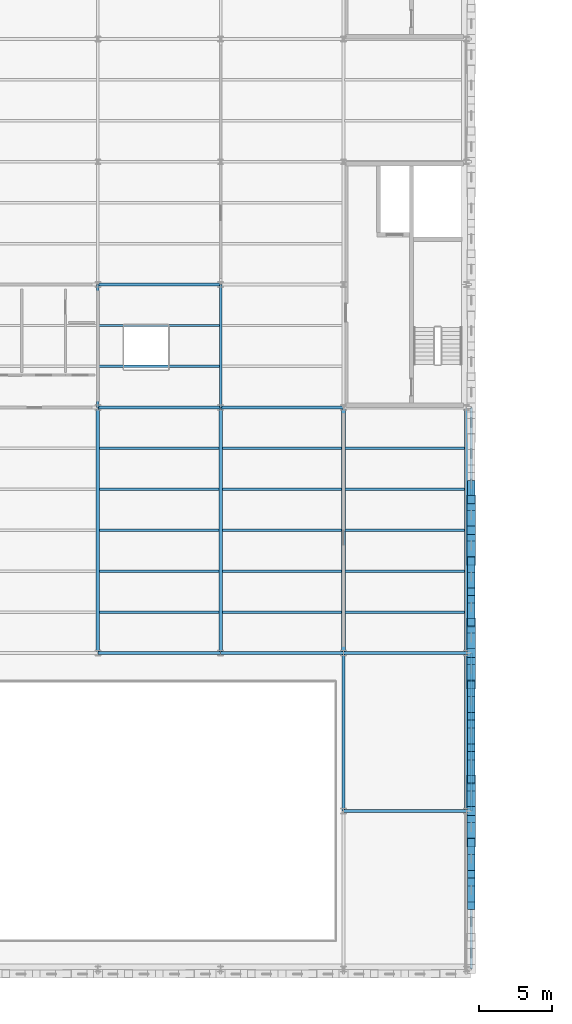
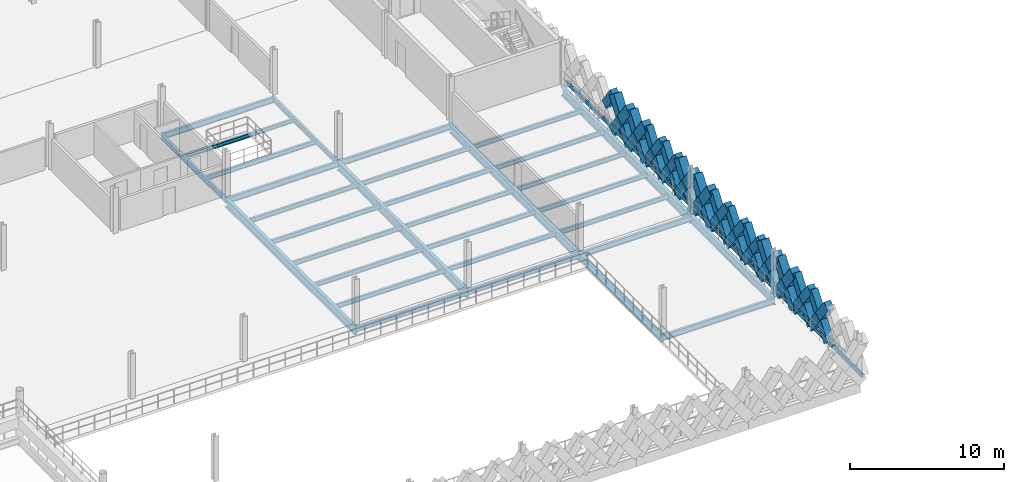
# One storey, part 20 of 62: 43 members, 32 beams.
"""IFC4 building model written with IfcOpenShell, lengths in metres."""

from ifc_helpers import new_model, si_unit, direction, frame, origin, origin_2d, place, context, subcontext, project, spatial, rectangle, hollow_rectangle, i_section, extrude, material, material_profile, profile_set, type_object, element, save


model = new_model("IFC4")

# Units and contexts
model_context = context("Model", 3, precision=1e-05, world=origin(), true_north=direction((0.0, 1.0)))
body_context = subcontext(model_context, "Body", "Model", "MODEL_VIEW")
ifc_project = project(units=[si_unit("LENGTHUNIT", "METRE"), si_unit("AREAUNIT", "SQUARE_METRE"), si_unit("VOLUMEUNIT", "CUBIC_METRE"), si_unit("PLANEANGLEUNIT", "RADIAN"), si_unit("MASSUNIT", "GRAM", prefix="KILO"), si_unit("THERMODYNAMICTEMPERATUREUNIT", "KELVIN"), si_unit("POWERUNIT", "WATT")], contexts=[model_context])

# Site, building, storey
site_placement = place(None, origin())
site = spatial("IfcSite", under=ifc_project, at=site_placement, CompositionType="ELEMENT")
building_placement = place(site_placement, origin())
building = spatial("IfcBuilding", under=site, at=building_placement, Name="Tembeka Court Mobility Hub", CompositionType="ELEMENT")
storey_placement = place(building_placement, frame((0.0, 0.0, 16.199951171875)))
storey = spatial("IfcBuildingStorey", under=building, at=storey_placement, Name="L04", CompositionType="ELEMENT", Elevation=16.199951171875)

# Beams
ifc_material_1 = material(Name="Steel S355", Category="steel")
ifc_material_profile_1 = material_profile(ifc_material_1, i_section(OverallWidth=0.18994140625, OverallDepth=0.45703125, WebThickness=0.009033203125, FlangeThickness=0.014404296875, FilletRadius=0.01025390625, at=origin_2d()), Name="UKB 457x191x74")
ifc_profile_set_1 = profile_set([ifc_material_profile_1], Name="Steel S355")
beam_type_1 = type_object("IfcBeamType", Name="BM-B01", PredefinedType="BEAM", material=ifc_profile_set_1)
beam_1_placement = place(storey_placement, frame((84.0, 10.800048828125, -0.448486328125), z_axis=(1.0, 0.0, 0.0), x_axis=(0.0, 1.0, 0.0)))
element("IfcBeam", 1, at=beam_1_placement, inside=storey, type_object=beam_type_1, Name="Beam B01 (BM-L04-X2201)", PredefinedType="BEAM", context=body_context, shape_type="SweptSolid", body=[
    extrude(i_section(OverallWidth=0.18994140625, OverallDepth=0.45703125, WebThickness=0.009033203125, FlangeThickness=0.014404296875, FilletRadius=0.01025390625, at=origin_2d()), origin(), (0.0, 0.0, 1.0), 8.39990234375),
])
beam_2_placement = place(storey_placement, frame((67.199951171875, 21.60009765625, -0.448486328125), z_axis=(1.0, 0.0, 0.0), x_axis=(0.0, 1.0, 0.0)))
element("IfcBeam", 2, at=beam_2_placement, inside=storey, type_object=beam_type_1, Name="Beam B01 (BM-L04-X2214)", PredefinedType="BEAM", context=body_context, shape_type="SweptSolid", body=[
    extrude(i_section(OverallWidth=0.18994140625, OverallDepth=0.45703125, WebThickness=0.009033203125, FlangeThickness=0.014404296875, FilletRadius=0.01025390625, at=origin_2d()), origin(), (0.0, 0.0, 1.0), 8.400146484375),
])
for number, where, z_axis, x_axis, name in (
    (3, (75.60009765625, 21.60009765625, -0.448486328125), (1.0, 0.0, 0.0), (0.0, 1.0, 0.0), "Beam B01 (BM-L04-X2215)"),
    (4, (84.0, 21.60009765625, -0.448486328125), (1.0, 0.0, 0.0), (0.0, 1.0, 0.0), "Beam B01 (BM-L04-X2216)"),
):
    element("IfcBeam", number, at=place(storey_placement, frame(where, z_axis=z_axis, x_axis=x_axis)), inside=storey, type_object=beam_type_1, Name=name, PredefinedType="BEAM", context=body_context, shape_type="SweptSolid", body=[
        extrude(i_section(OverallWidth=0.18994140625, OverallDepth=0.45703125, WebThickness=0.009033203125, FlangeThickness=0.014404296875, FilletRadius=0.01025390625, at=origin_2d()), origin(), (0.0, 0.0, 1.0), 8.39990234375),
    ])
beam_3_placement = place(storey_placement, frame((67.199951171875, 38.39990234375, -0.448486328125), z_axis=(1.0, 0.0, 0.0), x_axis=(0.0, 1.0, 0.0)))
element("IfcBeam", 5, at=beam_3_placement, inside=storey, type_object=beam_type_1, Name="Beam B01 (BM-L04-X2229)", PredefinedType="BEAM", context=body_context, shape_type="SweptSolid", body=[
    extrude(i_section(OverallWidth=0.18994140625, OverallDepth=0.45703125, WebThickness=0.009033203125, FlangeThickness=0.014404296875, FilletRadius=0.01025390625, at=origin_2d()), origin(), (0.0, 0.0, 1.0), 8.400146484375),
])
beam_4_placement = place(storey_placement, frame((75.60009765625, 38.39990234375, -0.448486328125), z_axis=(1.0, 0.0, 0.0), x_axis=(0.0, 1.0, 0.0)))
element("IfcBeam", 6, at=beam_4_placement, inside=storey, type_object=beam_type_1, Name="Beam B01 (BM-L04-X2230)", PredefinedType="BEAM", context=body_context, shape_type="SweptSolid", body=[
    extrude(i_section(OverallWidth=0.18994140625, OverallDepth=0.45703125, WebThickness=0.009033203125, FlangeThickness=0.014404296875, FilletRadius=0.01025390625, at=origin_2d()), origin(), (0.0, 0.0, 1.0), 8.39990234375),
])
beam_5_placement = place(storey_placement, frame((67.199951171875, 46.800048828125, -0.448486328125), z_axis=(1.0, 0.0, 0.0), x_axis=(0.0, 1.0, 0.0)))
element("IfcBeam", 7, at=beam_5_placement, inside=storey, type_object=beam_type_1, Name="Beam B01 (BM-L04-X2241)", PredefinedType="BEAM", context=body_context, shape_type="SweptSolid", body=[
    extrude(i_section(OverallWidth=0.18994140625, OverallDepth=0.45703125, WebThickness=0.009033203125, FlangeThickness=0.014404296875, FilletRadius=0.01025390625, at=origin_2d()), origin(), (0.0, 0.0, 1.0), 8.400146484375),
])
ifc_material_profile_2 = material_profile(ifc_material_1, i_section(OverallWidth=0.177978515625, OverallDepth=0.406005859375, WebThickness=0.0078125, FlangeThickness=0.0126953125, FilletRadius=0.01025390625, at=origin_2d()), Name="UKB 406x178x60")
ifc_profile_set_2 = profile_set([ifc_material_profile_2], Name="Steel S355")
beam_type_2 = type_object("IfcBeamType", Name="BM-B02", PredefinedType="BEAM", material=ifc_profile_set_2)
for number, where, z_axis, x_axis, name in (
    (8, (67.199951171875, 38.39990234375, -0.4228515625), (0.0, 1.0, 0.0), (-1.0, 0.0, 0.0), "Beam B02 (BM-L04-Y2383)"),
    (9, (75.60009765625, 38.39990234375, -0.4228515625), (0.0, 1.0, 0.0), (-1.0, 0.0, 0.0), "Beam B02 (BM-L04-Y2390)"),
):
    element("IfcBeam", number, at=place(storey_placement, frame(where, z_axis=z_axis, x_axis=x_axis)), inside=storey, type_object=beam_type_2, Name=name, PredefinedType="BEAM", context=body_context, shape_type="SweptSolid", body=[
        extrude(i_section(OverallWidth=0.177978515625, OverallDepth=0.406005859375, WebThickness=0.0078125, FlangeThickness=0.0126953125, FilletRadius=0.01025390625, at=origin_2d()), origin(), (0.0, 0.0, 1.0), 8.400146484375),
    ])
ifc_material_profile_3 = material_profile(ifc_material_1, i_section(OverallWidth=0.25390625, OverallDepth=0.68408203125, WebThickness=0.012451171875, FlangeThickness=0.01904296875, FilletRadius=0.01513671875, at=origin_2d()), Name="UKB 686x254x140")
ifc_profile_set_3 = profile_set([ifc_material_profile_3], Name="Steel S355")
beam_type_3 = type_object("IfcBeamType", Name="BM-G01", PredefinedType="USERDEFINED", material=ifc_profile_set_3)
for number, where, z_axis, x_axis, name in (
    (10, (67.199951171875, 21.60009765625, -0.56201171875), (0.0, 1.0, 0.0), (-1.0, 0.0, 0.0), "Beam G01 (BM-L04-Y2382)"),
    (11, (75.60009765625, 21.60009765625, -0.56201171875), (0.0, 1.0, 0.0), (-1.0, 0.0, 0.0), "Beam G01 (BM-L04-Y2389)"),
    (12, (84.0, 21.60009765625, -0.56201171875), (0.0, 1.0, 0.0), (-1.0, 0.0, 0.0), "Beam G01 (BM-L04-Y2398)"),
    (13, (92.39990234375, 21.60009765625, -0.56201171875), (0.0, 1.0, 0.0), (-1.0, 0.0, 0.0), "Beam G01 (BM-L04-Y2409)"),
):
    element("IfcBeam", number, at=place(storey_placement, frame(where, z_axis=z_axis, x_axis=x_axis)), inside=storey, type_object=beam_type_3, Name=name, ObjectType="GIRDER", PredefinedType="USERDEFINED", context=body_context, shape_type="SweptSolid", body=[
        extrude(i_section(OverallWidth=0.25390625, OverallDepth=0.68408203125, WebThickness=0.012451171875, FlangeThickness=0.01904296875, FilletRadius=0.01513671875, at=origin_2d()), origin(), (0.0, 0.0, 1.0), 16.7998046875),
    ])
ifc_material_profile_4 = material_profile(ifc_material_1, i_section(OverallWidth=0.22900390625, OverallDepth=0.612060546875, WebThickness=0.011962890625, FlangeThickness=0.01953125, FilletRadius=0.0126953125, at=origin_2d()), Name="UKB 610x229x125")
ifc_profile_set_4 = profile_set([ifc_material_profile_4], Name="Steel S355")
beam_type_4 = type_object("IfcBeamType", Name="BM-G02", PredefinedType="USERDEFINED", material=ifc_profile_set_4)
for number, where, z_axis, x_axis, name in (
    (14, (84.0, 10.800048828125, -0.52587890625), (0.0, 1.0, 0.0), (-1.0, 0.0, 0.0), "Beam G02 (BM-L04-Y2397)"),
    (15, (92.39990234375, 10.800048828125, -0.52587890625), (0.0, 1.0, 0.0), (-1.0, 0.0, 0.0), "Beam G02 (BM-L04-Y2408)"),
):
    element("IfcBeam", number, at=place(storey_placement, frame(where, z_axis=z_axis, x_axis=x_axis)), inside=storey, type_object=beam_type_4, Name=name, ObjectType="GIRDER", PredefinedType="USERDEFINED", context=body_context, shape_type="SweptSolid", body=[
        extrude(i_section(OverallWidth=0.22900390625, OverallDepth=0.612060546875, WebThickness=0.011962890625, FlangeThickness=0.01953125, FilletRadius=0.0126953125, at=origin_2d()), origin(), (0.0, 0.0, 1.0), 10.800048828125),
    ])
ifc_material_profile_5 = material_profile(ifc_material_1, i_section(OverallWidth=0.172119140625, OverallDepth=0.35498046875, WebThickness=0.00732421875, FlangeThickness=0.011474609375, FilletRadius=0.01025390625, at=origin_2d()), Name="UKB 356x171x51")
ifc_profile_set_5 = profile_set([ifc_material_profile_5], Name="Steel S355")
beam_type_5 = type_object("IfcBeamType", Name="BM-J01", PredefinedType="JOIST", material=ifc_profile_set_5)
for number, where, z_axis, x_axis, name in (
    (16, (67.322021484375, 24.39990234375, -0.3974609375), (1.0, 0.0, 0.0), (0.0, 1.0, 0.0), "Beam J01 (JST-L04-2582)"),
    (17, (67.322021484375, 27.199951171875, -0.3974609375), (1.0, 0.0, 0.0), (0.0, 1.0, 0.0), "Beam J01 (JST-L04-2583)"),
    (18, (67.322021484375, 30.0, -0.3974609375), (1.0, 0.0, 0.0), (0.0, 1.0, 0.0), "Beam J01 (JST-L04-2584)"),
    (19, (67.322021484375, 32.800048828125, -0.3974609375), (1.0, 0.0, 0.0), (0.0, 1.0, 0.0), "Beam J01 (JST-L04-2585)"),
    (20, (67.322021484375, 35.60009765625, -0.3974609375), (1.0, 0.0, 0.0), (0.0, 1.0, 0.0), "Beam J01 (JST-L04-2586)"),
    (21, (75.721923828125, 24.39990234375, -0.3974609375), (1.0, 0.0, 0.0), (0.0, 1.0, 0.0), "Beam J01 (JST-L04-2602)"),
    (22, (75.721923828125, 27.199951171875, -0.3974609375), (1.0, 0.0, 0.0), (0.0, 1.0, 0.0), "Beam J01 (JST-L04-2603)"),
    (23, (75.721923828125, 30.0, -0.3974609375), (1.0, 0.0, 0.0), (0.0, 1.0, 0.0), "Beam J01 (JST-L04-2604)"),
    (24, (75.721923828125, 32.800048828125, -0.3974609375), (1.0, 0.0, 0.0), (0.0, 1.0, 0.0), "Beam J01 (JST-L04-2605)"),
    (25, (75.721923828125, 35.60009765625, -0.3974609375), (1.0, 0.0, 0.0), (0.0, 1.0, 0.0), "Beam J01 (JST-L04-2606)"),
    (26, (84.1220703125, 24.39990234375, -0.3974609375), (1.0, 0.0, 0.0), (0.0, 1.0, 0.0), "Beam J01 (JST-L04-2622)"),
    (27, (84.1220703125, 27.199951171875, -0.3974609375), (1.0, 0.0, 0.0), (0.0, 1.0, 0.0), "Beam J01 (JST-L04-2623)"),
    (28, (84.1220703125, 30.0, -0.3974609375), (1.0, 0.0, 0.0), (0.0, 1.0, 0.0), "Beam J01 (JST-L04-2624)"),
    (29, (84.1220703125, 32.800048828125, -0.3974609375), (1.0, 0.0, 0.0), (0.0, 1.0, 0.0), "Beam J01 (JST-L04-2625)"),
    (30, (84.1220703125, 35.60009765625, -0.3974609375), (1.0, 0.0, 0.0), (0.0, 1.0, 0.0), "Beam J01 (JST-L04-2626)"),
):
    element("IfcBeam", number, at=place(storey_placement, frame(where, z_axis=z_axis, x_axis=x_axis)), inside=storey, type_object=beam_type_5, Name=name, PredefinedType="JOIST", context=body_context, shape_type="SweptSolid", body=[
        extrude(i_section(OverallWidth=0.172119140625, OverallDepth=0.35498046875, WebThickness=0.00732421875, FlangeThickness=0.011474609375, FilletRadius=0.01025390625, at=origin_2d()), origin(), (0.0, 0.0, 1.0), 8.156005859375),
    ])
ifc_material_profile_6 = material_profile(ifc_material_1, i_section(OverallWidth=0.1650390625, OverallDepth=0.303955078125, WebThickness=0.006103515625, FlangeThickness=0.01025390625, FilletRadius=0.0087890625, at=origin_2d()), Name="UKB 305x165x40")
ifc_profile_set_6 = profile_set([ifc_material_profile_6], Name="Steel S355")
beam_type_6 = type_object("IfcBeamType", Name="BM-J02", PredefinedType="JOIST", material=ifc_profile_set_6)
beam_6_placement = place(storey_placement, frame((67.283935546875, 44.0, -0.3720703125), z_axis=(1.0, 0.0, 0.0), x_axis=(0.0, 1.0, 0.0)))
element("IfcBeam", 31, at=beam_6_placement, inside=storey, type_object=beam_type_6, Name="Beam J02 (JST-L04-2588)", PredefinedType="JOIST", context=body_context, shape_type="SweptSolid", body=[
    extrude(i_section(OverallWidth=0.1650390625, OverallDepth=0.303955078125, WebThickness=0.006103515625, FlangeThickness=0.01025390625, FilletRadius=0.0087890625, at=origin_2d()), origin(), (0.0, 0.0, 1.0), 8.232177734375),
])
ifc_material_profile_7 = material_profile(ifc_material_1, i_section(OverallWidth=0.169921875, OverallDepth=0.360107421875, WebThickness=0.008056640625, FlangeThickness=0.0126953125, FilletRadius=0.01806640625, at=origin_2d()), Name="IPE 360")
ifc_profile_set_7 = profile_set([ifc_material_profile_7], Name="Steel S355")
beam_type_7 = type_object("IfcBeamType", Name="BM-J03", PredefinedType="JOIST", material=ifc_profile_set_7)
beam_7_placement = place(storey_placement, frame((67.283935546875, 41.199951171875, -0.39990234375), z_axis=(1.0, 0.0, 0.0), x_axis=(0.0, 1.0, 0.0)))
element("IfcBeam", 32, at=beam_7_placement, inside=storey, type_object=beam_type_7, Name="Beam J03 (JST-L04-2587)", PredefinedType="JOIST", context=body_context, shape_type="SweptSolid", body=[
    extrude(i_section(OverallWidth=0.169921875, OverallDepth=0.360107421875, WebThickness=0.008056640625, FlangeThickness=0.0126953125, FilletRadius=0.01806640625, at=origin_2d()), origin(), (0.0, 0.0, 1.0), 8.232177734375),
])

# Members
ifc_material_2 = material(Name="Precast concrete C45/55", Category="concrete")
ifc_material_profile_8 = material_profile(ifc_material_2, rectangle(XDim=0.5, YDim=0.64990234375, at=origin_2d()), Name="PC-DIAG 500x650")
ifc_profile_set_8 = profile_set([ifc_material_profile_8], Name="Precast concrete C45/55")
member_type_1 = type_object("IfcMemberType", Name="MEM-DL01", PredefinedType="BRACE", material=ifc_profile_set_8)
member_1_placement = place(storey_placement, frame((92.739990234375, 4.320068359375, 0.02001953125), z_axis=(0.0, 0.593379766398, 0.804922637792), x_axis=(-1.0, 0.0, 0.0)))
element("IfcMember", 33, at=member_1_placement, inside=storey, type_object=member_type_1, Name="Precast diamond lattice continuous strand DL01 (L04-735C)", PredefinedType="BRACE", context=body_context, shape_type="SweptSolid", body=[
    extrude(rectangle(XDim=0.5, YDim=0.64990234375, at=origin_2d()), origin(), (0.0, 0.0, 1.0), 3.64013671875),
])
member_2_placement = place(storey_placement, frame((92.739990234375, 6.47998046875, 0.02001953125), z_axis=(0.0, -0.593391185876, 0.804914219358), x_axis=(1.0, 0.0, 0.0)))
element("IfcMember", 34, at=member_2_placement, inside=storey, type_object=member_type_1, Name="Precast diamond lattice split lower strand DL01 (L04-735D1)", PredefinedType="BRACE", context=body_context, shape_type="SweptSolid", body=[
    extrude(rectangle(XDim=0.5, YDim=0.64990234375, at=origin_2d()), origin(), (0.0, 0.0, 1.0), 1.820068359375),
])
member_3_placement = place(storey_placement, frame((92.739990234375, 5.39990234375, 1.485107421875), z_axis=(0.0, -0.593368344659, 0.804931057642), x_axis=(1.0, 0.0, 0.0)))
element("IfcMember", 35, at=member_3_placement, inside=storey, type_object=member_type_1, Name="Precast diamond lattice split upper strand DL01 (L04-735D2)", PredefinedType="BRACE", context=body_context, shape_type="SweptSolid", body=[
    extrude(rectangle(XDim=0.5, YDim=0.64990234375, at=origin_2d()), origin(), (0.0, 0.0, 1.0), 1.81982421875),
])
member_4_placement = place(storey_placement, frame((92.739990234375, 6.47998046875, 0.02001953125), z_axis=(0.0, 0.593379766398, 0.804922637792), x_axis=(-1.0, 0.0, 0.0)))
element("IfcMember", 36, at=member_4_placement, inside=storey, type_object=member_type_1, Name="Precast diamond lattice continuous strand DL01 (L04-736C)", PredefinedType="BRACE", context=body_context, shape_type="SweptSolid", body=[
    extrude(rectangle(XDim=0.5, YDim=0.64990234375, at=origin_2d()), origin(), (0.0, 0.0, 1.0), 3.64013671875),
])
for number, where, z_axis, x_axis, name in (
    (37, (92.739990234375, 8.639892578125, 0.02001953125), (0.0, -0.593304274421, 0.804978284151), (1.0, 0.0, 0.0), "Precast diamond lattice split lower strand DL01 (L04-736D1)"),
    (38, (92.739990234375, 7.56005859375, 1.485107421875), (0.0, -0.593455255298, 0.804866982773), (1.0, 0.0, 0.0), "Precast diamond lattice split upper strand DL01 (L04-736D2)"),
):
    element("IfcMember", number, at=place(storey_placement, frame(where, z_axis=z_axis, x_axis=x_axis)), inside=storey, type_object=member_type_1, Name=name, PredefinedType="BRACE", context=body_context, shape_type="SweptSolid", body=[
        extrude(rectangle(XDim=0.5, YDim=0.64990234375, at=origin_2d()), origin(), (0.0, 0.0, 1.0), 1.820068359375),
    ])
member_5_placement = place(storey_placement, frame((92.739990234375, 12.9599609375, 0.02001953125), z_axis=(0.0, 0.593423219328, 0.804890602978), x_axis=(-1.0, 0.0, 0.0)))
element("IfcMember", 39, at=member_5_placement, inside=storey, type_object=member_type_1, Name="Precast diamond lattice continuous strand DL01 (L04-739C)", PredefinedType="BRACE", context=body_context, shape_type="SweptSolid", body=[
    extrude(rectangle(XDim=0.5, YDim=0.64990234375, at=origin_2d()), origin(), (0.0, 0.0, 1.0), 3.64013671875),
])
for number, where, z_axis, x_axis, name in (
    (40, (92.739990234375, 15.1201171875, 0.02001953125), (0.0, -0.593391185876, 0.804914219358), (1.0, 0.0, 0.0), "Precast diamond lattice split lower strand DL01 (L04-739D1)"),
    (41, (92.739990234375, 14.0400390625, 1.485107421875), (0.0, -0.593455255298, 0.804866982773), (1.0, 0.0, 0.0), "Precast diamond lattice split upper strand DL01 (L04-739D2)"),
):
    element("IfcMember", number, at=place(storey_placement, frame(where, z_axis=z_axis, x_axis=x_axis)), inside=storey, type_object=member_type_1, Name=name, PredefinedType="BRACE", context=body_context, shape_type="SweptSolid", body=[
        extrude(rectangle(XDim=0.5, YDim=0.64990234375, at=origin_2d()), origin(), (0.0, 0.0, 1.0), 1.820068359375),
    ])
member_6_placement = place(storey_placement, frame((92.739990234375, 15.1201171875, 0.02001953125), z_axis=(0.0, 0.593379766398, 0.804922637792), x_axis=(-1.0, 0.0, 0.0)))
element("IfcMember", 42, at=member_6_placement, inside=storey, type_object=member_type_1, Name="Precast diamond lattice continuous strand DL01 (L04-740C)", PredefinedType="BRACE", context=body_context, shape_type="SweptSolid", body=[
    extrude(rectangle(XDim=0.5, YDim=0.64990234375, at=origin_2d()), origin(), (0.0, 0.0, 1.0), 3.64013671875),
])
member_7_placement = place(storey_placement, frame((92.739990234375, 17.280029296875, 0.02001953125), z_axis=(0.0, -0.593391185876, 0.804914219358), x_axis=(1.0, 0.0, 0.0)))
element("IfcMember", 43, at=member_7_placement, inside=storey, type_object=member_type_1, Name="Precast diamond lattice split lower strand DL01 (L04-740D1)", PredefinedType="BRACE", context=body_context, shape_type="SweptSolid", body=[
    extrude(rectangle(XDim=0.5, YDim=0.64990234375, at=origin_2d()), origin(), (0.0, 0.0, 1.0), 1.820068359375),
])
member_8_placement = place(storey_placement, frame((92.739990234375, 16.199951171875, 1.485107421875), z_axis=(0.0, -0.593368344659, 0.804931057642), x_axis=(1.0, 0.0, 0.0)))
element("IfcMember", 44, at=member_8_placement, inside=storey, type_object=member_type_1, Name="Precast diamond lattice split upper strand DL01 (L04-740D2)", PredefinedType="BRACE", context=body_context, shape_type="SweptSolid", body=[
    extrude(rectangle(XDim=0.5, YDim=0.64990234375, at=origin_2d()), origin(), (0.0, 0.0, 1.0), 1.81982421875),
])
member_9_placement = place(storey_placement, frame((92.739990234375, 17.280029296875, 0.02001953125), z_axis=(0.0, 0.593379766398, 0.804922637792), x_axis=(-1.0, 0.0, 0.0)))
element("IfcMember", 45, at=member_9_placement, inside=storey, type_object=member_type_1, Name="Precast diamond lattice continuous strand DL01 (L04-741C)", PredefinedType="BRACE", context=body_context, shape_type="SweptSolid", body=[
    extrude(rectangle(XDim=0.5, YDim=0.64990234375, at=origin_2d()), origin(), (0.0, 0.0, 1.0), 3.64013671875),
])
for number, where, z_axis, x_axis, name in (
    (46, (92.739990234375, 19.43994140625, 0.02001953125), (0.0, -0.593304274421, 0.804978284151), (1.0, 0.0, 0.0), "Precast diamond lattice split lower strand DL01 (L04-741D1)"),
    (47, (92.739990234375, 18.360107421875, 1.485107421875), (0.0, -0.593455255298, 0.804866982773), (1.0, 0.0, 0.0), "Precast diamond lattice split upper strand DL01 (L04-741D2)"),
):
    element("IfcMember", number, at=place(storey_placement, frame(where, z_axis=z_axis, x_axis=x_axis)), inside=storey, type_object=member_type_1, Name=name, PredefinedType="BRACE", context=body_context, shape_type="SweptSolid", body=[
        extrude(rectangle(XDim=0.5, YDim=0.64990234375, at=origin_2d()), origin(), (0.0, 0.0, 1.0), 1.820068359375),
    ])
member_10_placement = place(storey_placement, frame((92.739990234375, 23.699951171875, 0.02001953125), z_axis=(0.0, 0.582576362011, 0.812775973086), x_axis=(-1.0, 0.0, 0.0)))
element("IfcMember", 48, at=member_10_placement, inside=storey, type_object=member_type_1, Name="Precast diamond lattice continuous strand DL01 (L04-744C)", PredefinedType="BRACE", context=body_context, shape_type="SweptSolid", body=[
    extrude(rectangle(XDim=0.5, YDim=0.64990234375, at=origin_2d()), origin(), (0.0, 0.0, 1.0), 3.604736328125),
])
member_11_placement = place(storey_placement, frame((92.739990234375, 25.800048828125, 0.02001953125), z_axis=(0.0, -0.582544294934, 0.812798956963), x_axis=(1.0, 0.0, 0.0)))
element("IfcMember", 49, at=member_11_placement, inside=storey, type_object=member_type_1, Name="Precast diamond lattice split lower strand DL01 (L04-744D1)", PredefinedType="BRACE", context=body_context, shape_type="SweptSolid", body=[
    extrude(rectangle(XDim=0.5, YDim=0.64990234375, at=origin_2d()), origin(), (0.0, 0.0, 1.0), 1.802490234375),
])
member_12_placement = place(storey_placement, frame((92.739990234375, 24.75, 1.485107421875), z_axis=(0.0, -0.582608431711, 0.812752985414), x_axis=(1.0, 0.0, 0.0)))
element("IfcMember", 50, at=member_12_placement, inside=storey, type_object=member_type_1, Name="Precast diamond lattice split upper strand DL01 (L04-744D2)", PredefinedType="BRACE", context=body_context, shape_type="SweptSolid", body=[
    extrude(rectangle(XDim=0.5, YDim=0.64990234375, at=origin_2d()), origin(), (0.0, 0.0, 1.0), 1.80224609375),
])
member_13_placement = place(storey_placement, frame((92.739990234375, 25.800048828125, 0.02001953125), z_axis=(0.0, 0.58253161945, 0.812808041509), x_axis=(-1.0, 0.0, 0.0)))
element("IfcMember", 51, at=member_13_placement, inside=storey, type_object=member_type_1, Name="Precast diamond lattice continuous strand DL01 (L04-745C)", PredefinedType="BRACE", context=body_context, shape_type="SweptSolid", body=[
    extrude(rectangle(XDim=0.5, YDim=0.64990234375, at=origin_2d()), origin(), (0.0, 0.0, 1.0), 3.604736328125),
])
member_14_placement = place(storey_placement, frame((92.739990234375, 27.89990234375, 0.02001953125), z_axis=(0.0, -0.582454804382, 0.812863088627), x_axis=(1.0, 0.0, 0.0)))
element("IfcMember", 52, at=member_14_placement, inside=storey, type_object=member_type_1, Name="Precast diamond lattice split lower strand DL01 (L04-745D1)", PredefinedType="BRACE", context=body_context, shape_type="SweptSolid", body=[
    extrude(rectangle(XDim=0.5, YDim=0.64990234375, at=origin_2d()), origin(), (0.0, 0.0, 1.0), 1.802490234375),
])
for number, where, z_axis, x_axis, name in (
    (53, (92.739990234375, 26.85009765625, 1.485107421875), (0.0, -0.582608431711, 0.812752985414), (1.0, 0.0, 0.0), "Precast diamond lattice split upper strand DL01 (L04-745D2)"),
    (54, (92.739990234375, 33.14990234375, 1.485107421875), (0.0, -0.582518941428, 0.812817127574), (1.0, 0.0, 0.0), "Precast diamond lattice split upper strand DL01 (L04-748D2)"),
):
    element("IfcMember", number, at=place(storey_placement, frame(where, z_axis=z_axis, x_axis=x_axis)), inside=storey, type_object=member_type_1, Name=name, PredefinedType="BRACE", context=body_context, shape_type="SweptSolid", body=[
        extrude(rectangle(XDim=0.5, YDim=0.64990234375, at=origin_2d()), origin(), (0.0, 0.0, 1.0), 1.80224609375),
    ])
ifc_material_profile_9 = material_profile(ifc_material_2, rectangle(XDim=0.60009765625, YDim=0.75, at=origin_2d()), Name="PC-DIAG 600x750")
ifc_profile_set_9 = profile_set([ifc_material_profile_9], Name="Precast concrete C45/55")
member_type_2 = type_object("IfcMemberType", Name="MEM-DL02", PredefinedType="BRACE", material=ifc_profile_set_9)
member_15_placement = place(storey_placement, frame((92.739990234375, 8.639892578125, 0.02001953125), z_axis=(0.0, 0.593423219328, 0.804890602978), x_axis=(-1.0, 0.0, 0.0)))
element("IfcMember", 55, at=member_15_placement, inside=storey, type_object=member_type_2, Name="Precast diamond lattice continuous strand DL02 (L04-737C)", PredefinedType="BRACE", context=body_context, shape_type="SweptSolid", body=[
    extrude(rectangle(XDim=0.60009765625, YDim=0.75, at=origin_2d()), origin(), (0.0, 0.0, 1.0), 3.64013671875),
])
for number, where, z_axis, x_axis, name in (
    (56, (92.739990234375, 10.800048828125, 0.02001953125), (0.0, -0.593391185876, 0.804914219358), (1.0, 0.0, 0.0), "Precast diamond lattice split lower strand DL02 (L04-737D1)"),
    (57, (92.739990234375, 9.719970703125, 1.485107421875), (0.0, -0.593455255298, 0.804866982773), (1.0, 0.0, 0.0), "Precast diamond lattice split upper strand DL02 (L04-737D2)"),
):
    element("IfcMember", number, at=place(storey_placement, frame(where, z_axis=z_axis, x_axis=x_axis)), inside=storey, type_object=member_type_2, Name=name, PredefinedType="BRACE", context=body_context, shape_type="SweptSolid", body=[
        extrude(rectangle(XDim=0.60009765625, YDim=0.75, at=origin_2d()), origin(), (0.0, 0.0, 1.0), 1.820068359375),
    ])
member_16_placement = place(storey_placement, frame((92.739990234375, 10.800048828125, 0.02001953125), z_axis=(0.0, 0.593379766398, 0.804922637792), x_axis=(-1.0, 0.0, 0.0)))
element("IfcMember", 58, at=member_16_placement, inside=storey, type_object=member_type_2, Name="Precast diamond lattice continuous strand DL02 (L04-738C)", PredefinedType="BRACE", context=body_context, shape_type="SweptSolid", body=[
    extrude(rectangle(XDim=0.60009765625, YDim=0.75, at=origin_2d()), origin(), (0.0, 0.0, 1.0), 3.64013671875),
])
member_17_placement = place(storey_placement, frame((92.739990234375, 12.9599609375, 0.02001953125), z_axis=(0.0, -0.593391185876, 0.804914219358), x_axis=(1.0, 0.0, 0.0)))
element("IfcMember", 59, at=member_17_placement, inside=storey, type_object=member_type_2, Name="Precast diamond lattice split lower strand DL02 (L04-738D1)", PredefinedType="BRACE", context=body_context, shape_type="SweptSolid", body=[
    extrude(rectangle(XDim=0.60009765625, YDim=0.75, at=origin_2d()), origin(), (0.0, 0.0, 1.0), 1.820068359375),
])
member_18_placement = place(storey_placement, frame((92.739990234375, 11.8798828125, 1.485107421875), z_axis=(0.0, -0.593368344659, 0.804931057642), x_axis=(1.0, 0.0, 0.0)))
element("IfcMember", 60, at=member_18_placement, inside=storey, type_object=member_type_2, Name="Precast diamond lattice split upper strand DL02 (L04-738D2)", PredefinedType="BRACE", context=body_context, shape_type="SweptSolid", body=[
    extrude(rectangle(XDim=0.60009765625, YDim=0.75, at=origin_2d()), origin(), (0.0, 0.0, 1.0), 1.81982421875),
])
member_19_placement = place(storey_placement, frame((92.739990234375, 19.43994140625, 0.02001953125), z_axis=(0.0, 0.593423219328, 0.804890602978), x_axis=(-1.0, 0.0, 0.0)))
element("IfcMember", 61, at=member_19_placement, inside=storey, type_object=member_type_2, Name="Precast diamond lattice continuous strand DL02 (L04-742C)", PredefinedType="BRACE", context=body_context, shape_type="SweptSolid", body=[
    extrude(rectangle(XDim=0.60009765625, YDim=0.75, at=origin_2d()), origin(), (0.0, 0.0, 1.0), 3.64013671875),
])
for number, where, z_axis, x_axis, name in (
    (62, (92.739990234375, 21.60009765625, 0.02001953125), (0.0, -0.593391185876, 0.804914219358), (1.0, 0.0, 0.0), "Precast diamond lattice split lower strand DL02 (L04-742D1)"),
    (63, (92.739990234375, 20.52001953125, 1.485107421875), (0.0, -0.593455255298, 0.804866982773), (1.0, 0.0, 0.0), "Precast diamond lattice split upper strand DL02 (L04-742D2)"),
):
    element("IfcMember", number, at=place(storey_placement, frame(where, z_axis=z_axis, x_axis=x_axis)), inside=storey, type_object=member_type_2, Name=name, PredefinedType="BRACE", context=body_context, shape_type="SweptSolid", body=[
        extrude(rectangle(XDim=0.60009765625, YDim=0.75, at=origin_2d()), origin(), (0.0, 0.0, 1.0), 1.820068359375),
    ])
member_20_placement = place(storey_placement, frame((92.739990234375, 21.60009765625, 0.02001953125), z_axis=(0.0, 0.58253161945, 0.812808041509), x_axis=(-1.0, 0.0, 0.0)))
element("IfcMember", 64, at=member_20_placement, inside=storey, type_object=member_type_2, Name="Precast diamond lattice continuous strand DL02 (L04-743C)", PredefinedType="BRACE", context=body_context, shape_type="SweptSolid", body=[
    extrude(rectangle(XDim=0.60009765625, YDim=0.75, at=origin_2d()), origin(), (0.0, 0.0, 1.0), 3.604736328125),
])
member_21_placement = place(storey_placement, frame((92.739990234375, 23.699951171875, 0.02001953125), z_axis=(0.0, -0.582544294934, 0.812798956963), x_axis=(1.0, 0.0, 0.0)))
element("IfcMember", 65, at=member_21_placement, inside=storey, type_object=member_type_2, Name="Precast diamond lattice split lower strand DL02 (L04-743D1)", PredefinedType="BRACE", context=body_context, shape_type="SweptSolid", body=[
    extrude(rectangle(XDim=0.60009765625, YDim=0.75, at=origin_2d()), origin(), (0.0, 0.0, 1.0), 1.802490234375),
])
member_22_placement = place(storey_placement, frame((92.739990234375, 22.64990234375, 1.485107421875), z_axis=(0.0, -0.582518941428, 0.812817127574), x_axis=(1.0, 0.0, 0.0)))
element("IfcMember", 66, at=member_22_placement, inside=storey, type_object=member_type_2, Name="Precast diamond lattice split upper strand DL02 (L04-743D2)", PredefinedType="BRACE", context=body_context, shape_type="SweptSolid", body=[
    extrude(rectangle(XDim=0.60009765625, YDim=0.75, at=origin_2d()), origin(), (0.0, 0.0, 1.0), 1.80224609375),
])
member_23_placement = place(storey_placement, frame((92.739990234375, 27.89990234375, 0.02001953125), z_axis=(0.0, 0.582576362011, 0.812775973086), x_axis=(-1.0, 0.0, 0.0)))
element("IfcMember", 67, at=member_23_placement, inside=storey, type_object=member_type_2, Name="Precast diamond lattice continuous strand DL02 (L04-746C)", PredefinedType="BRACE", context=body_context, shape_type="SweptSolid", body=[
    extrude(rectangle(XDim=0.60009765625, YDim=0.75, at=origin_2d()), origin(), (0.0, 0.0, 1.0), 3.604736328125),
])
member_24_placement = place(storey_placement, frame((92.739990234375, 30.0, 0.02001953125), z_axis=(0.0, -0.582544294934, 0.812798956963), x_axis=(1.0, 0.0, 0.0)))
element("IfcMember", 68, at=member_24_placement, inside=storey, type_object=member_type_2, Name="Precast diamond lattice split lower strand DL02 (L04-746D1)", PredefinedType="BRACE", context=body_context, shape_type="SweptSolid", body=[
    extrude(rectangle(XDim=0.60009765625, YDim=0.75, at=origin_2d()), origin(), (0.0, 0.0, 1.0), 1.802490234375),
])
member_25_placement = place(storey_placement, frame((92.739990234375, 28.949951171875, 1.485107421875), z_axis=(0.0, -0.582608431711, 0.812752985414), x_axis=(1.0, 0.0, 0.0)))
element("IfcMember", 69, at=member_25_placement, inside=storey, type_object=member_type_2, Name="Precast diamond lattice split upper strand DL02 (L04-746D2)", PredefinedType="BRACE", context=body_context, shape_type="SweptSolid", body=[
    extrude(rectangle(XDim=0.60009765625, YDim=0.75, at=origin_2d()), origin(), (0.0, 0.0, 1.0), 1.80224609375),
])
member_26_placement = place(storey_placement, frame((92.739990234375, 30.0, 0.02001953125), z_axis=(0.0, 0.582576362011, 0.812775973086), x_axis=(-1.0, 0.0, 0.0)))
element("IfcMember", 70, at=member_26_placement, inside=storey, type_object=member_type_2, Name="Precast diamond lattice continuous strand DL02 (L04-747C)", PredefinedType="BRACE", context=body_context, shape_type="SweptSolid", body=[
    extrude(rectangle(XDim=0.60009765625, YDim=0.75, at=origin_2d()), origin(), (0.0, 0.0, 1.0), 3.604736328125),
])
member_27_placement = place(storey_placement, frame((92.739990234375, 32.10009765625, 0.02001953125), z_axis=(0.0, -0.582544294934, 0.812798956963), x_axis=(1.0, 0.0, 0.0)))
element("IfcMember", 71, at=member_27_placement, inside=storey, type_object=member_type_2, Name="Precast diamond lattice split lower strand DL02 (L04-747D1)", PredefinedType="BRACE", context=body_context, shape_type="SweptSolid", body=[
    extrude(rectangle(XDim=0.60009765625, YDim=0.75, at=origin_2d()), origin(), (0.0, 0.0, 1.0), 1.802490234375),
])
member_28_placement = place(storey_placement, frame((92.739990234375, 31.050048828125, 1.485107421875), z_axis=(0.0, -0.582608431711, 0.812752985414), x_axis=(1.0, 0.0, 0.0)))
element("IfcMember", 72, at=member_28_placement, inside=storey, type_object=member_type_2, Name="Precast diamond lattice split upper strand DL02 (L04-747D2)", PredefinedType="BRACE", context=body_context, shape_type="SweptSolid", body=[
    extrude(rectangle(XDim=0.60009765625, YDim=0.75, at=origin_2d()), origin(), (0.0, 0.0, 1.0), 1.80224609375),
])
ifc_material_profile_10 = material_profile(ifc_material_1, hollow_rectangle(XDim=0.14990234375, YDim=0.300048828125, WallThickness=0.010009765625, at=origin_2d()), Name="RHS 300x150x10")
ifc_profile_set_10 = profile_set([ifc_material_profile_10], Name="Steel S355")
member_type_3 = type_object("IfcMemberType", Name="MEM-ST03", PredefinedType="STRUT", material=ifc_profile_set_10)
for number, where, z_axis, x_axis, name in (
    (73, (92.739990234375, 0.0, 0.02001953125), (0.0, 1.0, 0.0), (-1.0, 0.0, 0.0), "Proud lattice sill tie chord SR03 (L04-E-0)"),
    (74, (92.739990234375, 10.800048828125, 0.02001953125), (0.0, 1.0, 0.0), (-1.0, 0.0, 0.0), "Proud lattice sill tie chord SR03 (L04-E-10)"),
):
    element("IfcMember", number, at=place(storey_placement, frame(where, z_axis=z_axis, x_axis=x_axis)), inside=storey, type_object=member_type_3, Name=name, PredefinedType="STRUT", context=body_context, shape_type="SweptSolid", body=[
        extrude(hollow_rectangle(XDim=0.14990234375, YDim=0.300048828125, WallThickness=0.010009765625, at=origin_2d()), origin(), (0.0, 0.0, 1.0), 10.800048828125),
    ])
member_29_placement = place(storey_placement, frame((92.739990234375, 21.60009765625, 0.02001953125), z_axis=(0.0, 1.0, 0.0), x_axis=(-1.0, 0.0, 0.0)))
element("IfcMember", 75, at=member_29_placement, inside=storey, type_object=member_type_3, Name="Proud lattice sill tie chord SR03 (L04-E-21)", PredefinedType="STRUT", context=body_context, shape_type="SweptSolid", body=[
    extrude(hollow_rectangle(XDim=0.14990234375, YDim=0.300048828125, WallThickness=0.010009765625, at=origin_2d()), origin(), (0.0, 0.0, 1.0), 16.7998046875),
])

save(model, "model.ifc")
